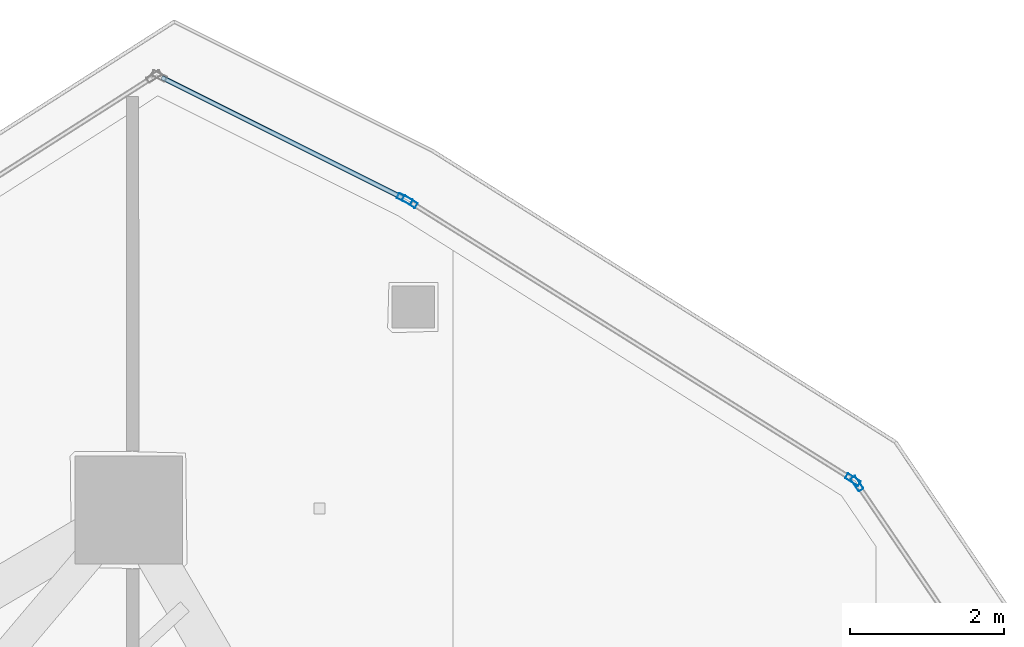
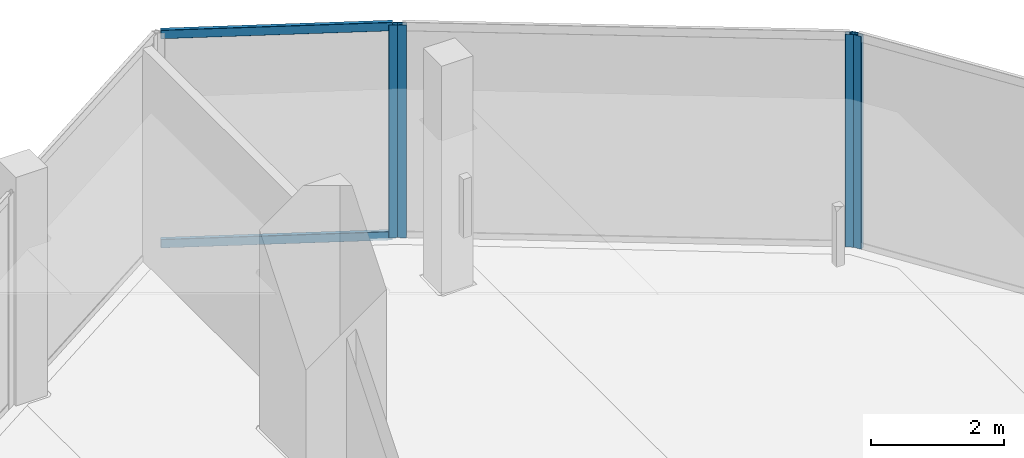
# One storey, part 16 of 25: 6 members, 3 elements without a shape of their own.
"""IFC4 building model written with IfcOpenShell, lengths in metres."""

from ifc_helpers import new_model, si_unit, direction, frame, origin, origin_2d, place, context, subcontext, project, spatial, hollow_rectangle, extrude, material, layer, layer_set, material_profile, profile_set, type_object, element, aggregate, save


model = new_model("IFC4")

# Units and contexts
model_context = context("Model", 3, precision=1e-05, world=origin(), true_north=direction((0.0, 1.0)))
body_context = subcontext(model_context, "Body", "Model", "MODEL_VIEW")
ifc_project = project(units=[si_unit("LENGTHUNIT", "METRE"), si_unit("AREAUNIT", "SQUARE_METRE"), si_unit("VOLUMEUNIT", "CUBIC_METRE"), si_unit("PLANEANGLEUNIT", "RADIAN"), si_unit("MASSUNIT", "GRAM", prefix="KILO")], contexts=[model_context])

# Site, building, storey
site_placement = place(None, origin())
site = spatial("IfcSite", under=ifc_project, at=site_placement, CompositionType="ELEMENT")
building_placement = place(site_placement, origin())
building = spatial("IfcBuilding", under=site, at=building_placement, Name="Qorvath Tower", CompositionType="ELEMENT")
storey_placement = place(building_placement, frame((0.0, 0.0, 297.60009765625)))
storey = spatial("IfcBuildingStorey", under=building, at=storey_placement, Name="L69", CompositionType="ELEMENT", Elevation=297.60009765625)

# Curtain wall, member
ifc_material_1 = material(Name="Anodised aluminium and triple low-E glass", Category="aluminium")
ifc_layer = layer(ifc_material_1, 0.179931640625)
ifc_layer_set = layer_set([ifc_layer], Name="CW-SYS-5")
curtain_wall_type = type_object("IfcCurtainWallType", Name="CW-SYS-5", PredefinedType="NOTDEFINED", material=ifc_layer_set)
curtain_wall_1_placement = place(storey_placement, origin())
curtain_wall_1 = element("IfcCurtainWall", 1, at=curtain_wall_1_placement, inside=storey, type_object=curtain_wall_type, Name="Curtain Wall CW-5 CW-T-L69-13.1", PredefinedType="NOTDEFINED")
ifc_material_2 = material(Name="Anodised aluminium 6063-T6", Category="aluminium")
ifc_material_profile_1 = material_profile(ifc_material_2, hollow_rectangle(XDim=0.074951171875, YDim=0.199951171875, WallThickness=0.00390625, InnerFilletRadius=0.00390625, OuterFilletRadius=0.008056640625, at=origin_2d()), Name="CWM 200x75")
ifc_profile_set_1 = profile_set([ifc_material_profile_1], Name="Anodised aluminium 6063-T6")
member_type_1 = type_object("IfcMemberType", Name="CWM-200", PredefinedType="MULLION", material=ifc_profile_set_1)
member_1_placement = place(storey_placement, frame((-9.27490234375, 17.51904296875, 0.0), z_axis=(0.0, 0.0, 1.0), x_axis=(-0.827147097371, -0.561985479626, 0.0)))
member_1 = element("IfcMember", 2, at=member_1_placement, type_object=member_type_1, Name="CW-5 mullion 2", PredefinedType="MULLION", context=body_context, shape_type="SweptSolid", body=[
    extrude(hollow_rectangle(XDim=0.074951171875, YDim=0.199951171875, WallThickness=0.00390625, InnerFilletRadius=0.00390625, OuterFilletRadius=0.008056640625, at=origin_2d()), origin(), (0.0, 0.0, 1.0), 3.909912109375),
])
aggregate(curtain_wall_1, [member_1])

# Curtain wall, members
curtain_wall_2_placement = place(storey_placement, origin())
curtain_wall_2 = element("IfcCurtainWall", 3, at=curtain_wall_2_placement, inside=storey, type_object=curtain_wall_type, Name="Curtain Wall CW-5 CW-T-L69-14.1", PredefinedType="NOTDEFINED")
member_2_placement = place(storey_placement, frame((-9.32763671875, 17.56982421875, 0.0), z_axis=(0.0, 0.0, 1.0), x_axis=(-0.531389450344, -0.847127648034, 0.0)))
member_2 = element("IfcMember", 4, at=member_2_placement, type_object=member_type_1, Name="CW-5 mullion 1", PredefinedType="MULLION", context=body_context, shape_type="SweptSolid", body=[
    extrude(hollow_rectangle(XDim=0.074951171875, YDim=0.199951171875, WallThickness=0.00390625, InnerFilletRadius=0.00390625, OuterFilletRadius=0.008056640625, at=origin_2d()), origin(), (0.0, 0.0, 1.0), 3.909912109375),
])
member_3_placement = place(storey_placement, frame((-15.09326171875, 21.1865234375, 0.0), z_axis=(0.0, 0.0, 1.0), x_axis=(-0.531389450344, -0.847127648034, 0.0)))
member_3 = element("IfcMember", 5, at=member_3_placement, type_object=member_type_1, Name="CW-5 mullion 2", PredefinedType="MULLION", context=body_context, shape_type="SweptSolid", body=[
    extrude(hollow_rectangle(XDim=0.074951171875, YDim=0.199951171875, WallThickness=0.00390625, InnerFilletRadius=0.00390625, OuterFilletRadius=0.008056640625, at=origin_2d()), origin(), (0.0, 0.0, 1.0), 3.909912109375),
])
aggregate(curtain_wall_2, [member_2, member_3])

curtain_wall_3_placement = place(storey_placement, origin())
curtain_wall_3 = element("IfcCurtainWall", 6, at=curtain_wall_3_placement, inside=storey, type_object=curtain_wall_type, Name="Curtain Wall CW-5 CW-T-L69-15.1", PredefinedType="NOTDEFINED")
member_4_placement = place(storey_placement, frame((-15.158447265625, 21.223388671875, 0.0), z_axis=(0.0, 0.0, 1.0), x_axis=(-0.447180696116, -0.894443639936, 0.0)))
member_4 = element("IfcMember", 7, at=member_4_placement, type_object=member_type_1, Name="CW-5 mullion 1", PredefinedType="MULLION", context=body_context, shape_type="SweptSolid", body=[
    extrude(hollow_rectangle(XDim=0.074951171875, YDim=0.199951171875, WallThickness=0.00390625, InnerFilletRadius=0.00390625, OuterFilletRadius=0.008056640625, at=origin_2d()), origin(), (0.0, 0.0, 1.0), 3.909912109375),
])
ifc_material_3 = material(Name="Anodised aluminium 6063-T6", Category="aluminium")
ifc_material_profile_2 = material_profile(ifc_material_3, hollow_rectangle(XDim=0.06494140625, YDim=0.159912109375, WallThickness=0.00341796875, InnerFilletRadius=0.00341796875, OuterFilletRadius=0.007080078125, at=origin_2d()), Name="CWT 160x65")
ifc_profile_set_2 = profile_set([ifc_material_profile_2], Name="Anodised aluminium 6063-T6")
member_type_2 = type_object("IfcMemberType", Name="CWT-160", PredefinedType="USERDEFINED", material=ifc_profile_set_2)
member_5_placement = place(storey_placement, frame((-15.192138671875, 21.239990234375, 0.032470703125), z_axis=(-0.894441152027, 0.447185672355, 0.0), x_axis=(-0.447185672355, -0.894441152027, 0.0)))
member_5 = element("IfcMember", 8, at=member_5_placement, type_object=member_type_2, Name="CW-5 transom 1.1", ObjectType="TRANSOM", PredefinedType="USERDEFINED", context=body_context, shape_type="SweptSolid", body=[
    extrude(hollow_rectangle(XDim=0.06494140625, YDim=0.159912109375, WallThickness=0.00341796875, InnerFilletRadius=0.00341796875, OuterFilletRadius=0.007080078125, at=origin_2d()), origin(), (0.0, 0.0, 1.0), 3.497314453125),
])
member_6_placement = place(storey_placement, frame((-15.192138671875, 21.239990234375, 3.87744140625), z_axis=(-0.894441152027, 0.447185672355, 0.0), x_axis=(-0.447185672355, -0.894441152027, 0.0)))
member_6 = element("IfcMember", 9, at=member_6_placement, type_object=member_type_2, Name="CW-5 transom 1.2", ObjectType="TRANSOM", PredefinedType="USERDEFINED", context=body_context, shape_type="SweptSolid", body=[
    extrude(hollow_rectangle(XDim=0.06494140625, YDim=0.159912109375, WallThickness=0.00341796875, InnerFilletRadius=0.00341796875, OuterFilletRadius=0.007080078125, at=origin_2d()), origin(), (0.0, 0.0, 1.0), 3.497314453125),
])
aggregate(curtain_wall_3, [member_4, member_5, member_6])

save(model, "model.ifc")
